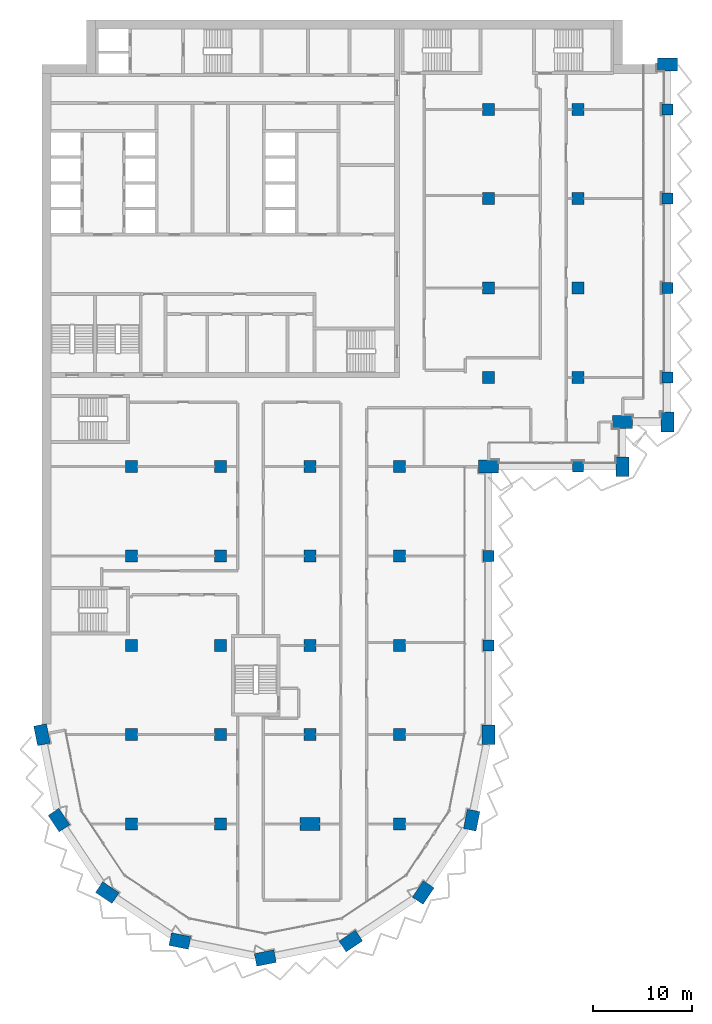
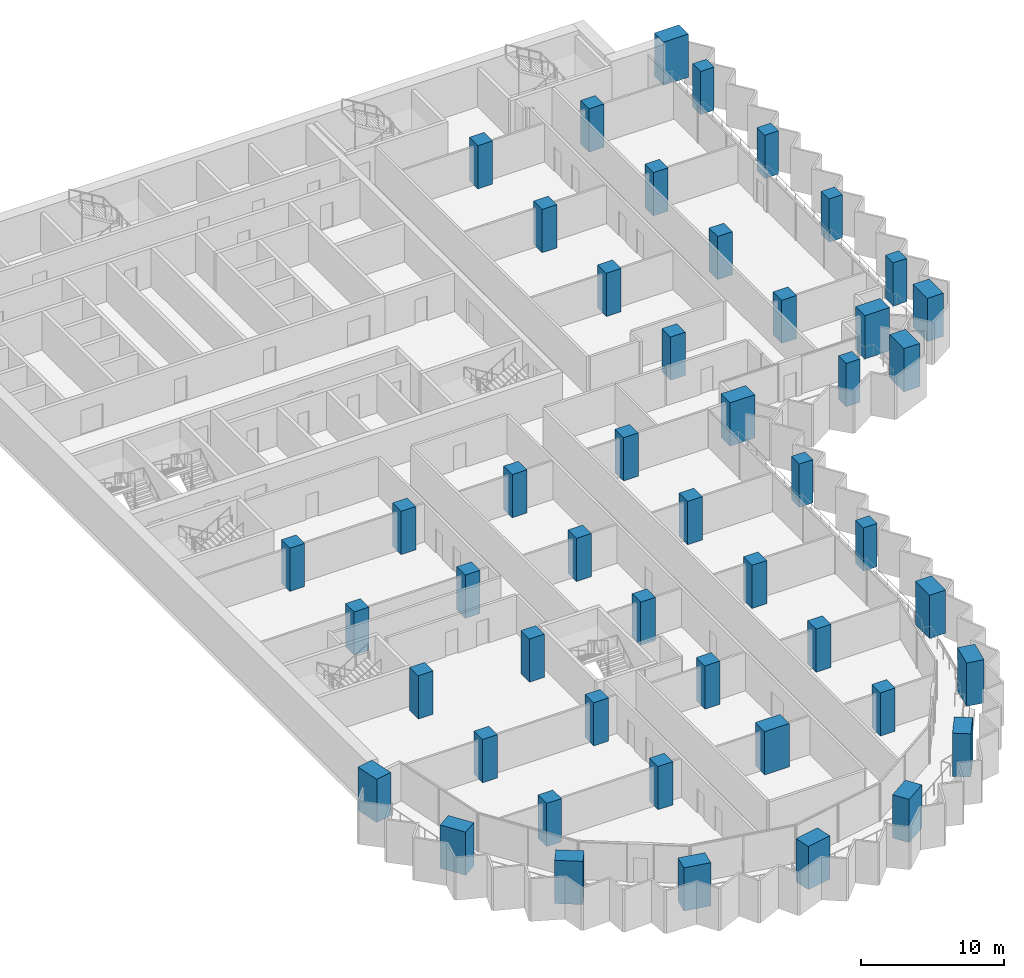
# One storey, part 1 of 23: 49 columns.
"""IFC4 building model written with IfcOpenShell, lengths in metres."""

from ifc_helpers import new_model, si_unit, direction, frame, origin, origin_2d, place, context, subcontext, project, spatial, rectangle, extrude, material, material_profile, profile_set, type_object, element, save


model = new_model("IFC4")

# Units and contexts
model_context = context("Model", 3, precision=1e-05, world=origin(), true_north=direction((0.0, 1.0)))
body_context = subcontext(model_context, "Body", "Model", "MODEL_VIEW")
ifc_project = project(units=[si_unit("LENGTHUNIT", "METRE"), si_unit("AREAUNIT", "SQUARE_METRE"), si_unit("VOLUMEUNIT", "CUBIC_METRE"), si_unit("PLANEANGLEUNIT", "RADIAN"), si_unit("MASSUNIT", "GRAM", prefix="KILO")], contexts=[model_context])

# Site, building, storey
site_placement = place(None, origin())
site = spatial("IfcSite", under=ifc_project, at=site_placement, CompositionType="ELEMENT")
building_placement = place(site_placement, origin())
building = spatial("IfcBuilding", under=site, at=building_placement, Name="Hunhe Ridgeline Campus", CompositionType="ELEMENT")
storey_placement = place(building_placement, frame((0.0, 0.0, 144.89990234375)))
storey = spatial("IfcBuildingStorey", under=building, at=storey_placement, Name="L36", CompositionType="ELEMENT", Elevation=144.89990234375)

# Columns
ifc_material = material(Name="Concrete C70", Category="concrete")
ifc_material_profile_1 = material_profile(ifc_material, rectangle(XDim=2.0, YDim=1.300048828125, at=origin_2d()))
ifc_profile_set_1 = profile_set([ifc_material_profile_1], Name="Concrete C70")
column_type_1 = type_object("IfcColumnType", Name="Megacolumn 2000x1300 Concrete C70", PredefinedType="COLUMN", material=ifc_profile_set_1)
for number, where, z_axis, x_axis, name in (
    (1, (22.5, 4.5, 0.0), (0.0, 0.0, 1.0), (0.980785280403, 0.195090322016, 0.0), "Column C9 R1 L36"),
    (2, (13.8896484375, 6.212646484375, 0.0), (0.0, 0.0, 1.0), (-0.980785280403, 0.195090322016, 0.0), "Column C9 R2 L36"),
    (3, (31.1103515625, 6.212646484375, 0.0), (0.0, 0.0, 1.0), (0.831469612303, 0.55557023302, 0.0), "Column C9 R3 L36"),
    (4, (6.590087890625, 11.090087890625, 0.0), (0.0, 0.0, 1.0), (-0.831469612303, 0.55557023302, 0.0), "Column C9 R4 L36"),
    (5, (38.409912109375, 11.090087890625, 0.0), (0.0, 0.0, 1.0), (0.55557023302, 0.831469612303, 0.0), "Column C9 R5 L36"),
    (6, (1.712646484375, 18.3896484375, 0.0), (0.0, 0.0, 1.0), (-0.55557023302, 0.831469612303, 0.0), "Column C9 R9 L36"),
    (7, (43.287353515625, 18.3896484375, 0.0), (0.0, 0.0, 1.0), (0.195090322016, 0.980785280403, 0.0), "Column C9 R10 L36"),
    (8, (0.0, 27.0, 0.0), (0.0, 0.0, 1.0), (-0.195090322016, 0.980785280403, 0.0), "Column C9 D1 L36"),
    (9, (45.0, 27.0, 0.0), (0.0, 0.0, 1.0), (0.0, 1.0, 0.0), "Column C9 D6 L36"),
    (10, (45.0, 54.0, 0.0), (0.0, 0.0, 1.0), (1.0, 0.0, 0.0), "Column C9 G6 L36"),
    (11, (58.5, 54.0, 0.0), (0.0, 0.0, 1.0), (0.0, 1.0, 0.0), "Column C9 R30 L36"),
    (12, (58.5, 58.5, 0.0), (0.0, 0.0, 1.0), (1.0, 0.0, 0.0), "Column C9 R35 L36"),
    (13, (63.0, 58.5, 0.0), (0.0, 0.0, 1.0), (0.0, 1.0, 0.0), "Column C9 R36 L36"),
    (14, (63.0, 94.5, 0.0), (0.0, 0.0, 1.0), (1.0, 0.0, 0.0), "Column C9 R42 L36"),
    (15, (27.0, 18.0, 0.0), (0.0, 0.0, 1.0), (1.0, 0.0, 0.0), "Column C9 C4 L36"),
):
    element("IfcColumn", number, at=place(storey_placement, frame(where, z_axis=z_axis, x_axis=x_axis)), inside=storey, type_object=column_type_1, Name=name, PredefinedType="COLUMN", context=body_context, shape_type="SweptSolid", body=[
        extrude(rectangle(XDim=2.0, YDim=1.300048828125, at=origin_2d()), origin(), (0.0, 0.0, 1.0), 3.7001953125),
    ])
ifc_material_profile_2 = material_profile(ifc_material, rectangle(XDim=1.10009765625, YDim=1.10009765625, at=origin_2d()))
ifc_profile_set_2 = profile_set([ifc_material_profile_2], Name="Concrete C70")
column_type_2 = type_object("IfcColumnType", Name="RC column 1100x1100 Concrete C70", PredefinedType="COLUMN", material=ifc_profile_set_2)
for number, where, z_axis, x_axis, name in (
    (16, (45.0, 36.0, 0.0), (0.0, 0.0, 1.0), (1.0, 0.0, 0.0), "Column C10 E6 L36"),
    (17, (45.0, 45.0, 0.0), (0.0, 0.0, 1.0), (1.0, 0.0, 0.0), "Column C10 F6 L36"),
    (18, (54.0, 54.0, 0.0), (0.0, 0.0, 1.0), (1.0, 0.0, 0.0), "Column C10 G7 L36"),
    (19, (63.0, 63.0, 0.0), (0.0, 0.0, 1.0), (1.0, 0.0, 0.0), "Column C10 H8 L36"),
    (20, (63.0, 72.0, 0.0), (0.0, 0.0, 1.0), (1.0, 0.0, 0.0), "Column C10 I8 L36"),
    (21, (63.0, 81.0, 0.0), (0.0, 0.0, 1.0), (1.0, 0.0, 0.0), "Column C10 J8 L36"),
    (22, (63.0, 90.0, 0.0), (0.0, 0.0, 1.0), (1.0, 0.0, 0.0), "Column C10 K8 L36"),
):
    element("IfcColumn", number, at=place(storey_placement, frame(where, z_axis=z_axis, x_axis=x_axis)), inside=storey, type_object=column_type_2, Name=name, PredefinedType="COLUMN", context=body_context, shape_type="SweptSolid", body=[
        extrude(rectangle(XDim=1.10009765625, YDim=1.10009765625, at=origin_2d()), origin(), (0.0, 0.0, 1.0), 3.7001953125),
    ])
ifc_material_profile_3 = material_profile(ifc_material, rectangle(XDim=1.199951171875, YDim=1.199951171875, at=origin_2d()))
ifc_profile_set_3 = profile_set([ifc_material_profile_3], Name="Concrete C70")
column_type_3 = type_object("IfcColumnType", Name="RC column 1200x1200 Concrete C70", PredefinedType="COLUMN", material=ifc_profile_set_3)
for number, where, z_axis, x_axis, name in (
    (23, (9.0, 18.0, 0.0), (0.0, 0.0, 1.0), (1.0, 0.0, 0.0), "Column C7 C2 L36"),
    (24, (9.0, 27.0, 0.0), (0.0, 0.0, 1.0), (1.0, 0.0, 0.0), "Column C7 D2 L36"),
    (25, (9.0, 36.0, 0.0), (0.0, 0.0, 1.0), (1.0, 0.0, 0.0), "Column C7 E2 L36"),
    (26, (9.0, 45.0, 0.0), (0.0, 0.0, 1.0), (1.0, 0.0, 0.0), "Column C7 F2 L36"),
    (27, (9.0, 54.0, 0.0), (0.0, 0.0, 1.0), (1.0, 0.0, 0.0), "Column C7 G2 L36"),
    (28, (18.0, 18.0, 0.0), (0.0, 0.0, 1.0), (1.0, 0.0, 0.0), "Column C7 C3 L36"),
    (29, (18.0, 27.0, 0.0), (0.0, 0.0, 1.0), (1.0, 0.0, 0.0), "Column C7 D3 L36"),
    (30, (18.0, 36.0, 0.0), (0.0, 0.0, 1.0), (1.0, 0.0, 0.0), "Column C7 E3 L36"),
    (31, (18.0, 45.0, 0.0), (0.0, 0.0, 1.0), (1.0, 0.0, 0.0), "Column C7 F3 L36"),
    (32, (18.0, 54.0, 0.0), (0.0, 0.0, 1.0), (1.0, 0.0, 0.0), "Column C7 G3 L36"),
    (33, (27.0, 27.0, 0.0), (0.0, 0.0, 1.0), (1.0, 0.0, 0.0), "Column C7 D4 L36"),
    (34, (27.0, 36.0, 0.0), (0.0, 0.0, 1.0), (1.0, 0.0, 0.0), "Column C7 E4 L36"),
    (35, (27.0, 45.0, 0.0), (0.0, 0.0, 1.0), (1.0, 0.0, 0.0), "Column C7 F4 L36"),
    (36, (27.0, 54.0, 0.0), (0.0, 0.0, 1.0), (1.0, 0.0, 0.0), "Column C7 G4 L36"),
    (37, (36.0, 18.0, 0.0), (0.0, 0.0, 1.0), (1.0, 0.0, 0.0), "Column C7 C5 L36"),
    (38, (36.0, 27.0, 0.0), (0.0, 0.0, 1.0), (1.0, 0.0, 0.0), "Column C7 D5 L36"),
    (39, (36.0, 36.0, 0.0), (0.0, 0.0, 1.0), (1.0, 0.0, 0.0), "Column C7 E5 L36"),
    (40, (36.0, 45.0, 0.0), (0.0, 0.0, 1.0), (1.0, 0.0, 0.0), "Column C7 F5 L36"),
    (41, (36.0, 54.0, 0.0), (0.0, 0.0, 1.0), (1.0, 0.0, 0.0), "Column C7 G5 L36"),
    (42, (45.0, 63.0, 0.0), (0.0, 0.0, 1.0), (1.0, 0.0, 0.0), "Column C7 H6 L36"),
    (43, (45.0, 72.0, 0.0), (0.0, 0.0, 1.0), (1.0, 0.0, 0.0), "Column C7 I6 L36"),
    (44, (45.0, 81.0, 0.0), (0.0, 0.0, 1.0), (1.0, 0.0, 0.0), "Column C7 J6 L36"),
    (45, (45.0, 90.0, 0.0), (0.0, 0.0, 1.0), (1.0, 0.0, 0.0), "Column C7 K6 L36"),
    (46, (54.0, 63.0, 0.0), (0.0, 0.0, 1.0), (1.0, 0.0, 0.0), "Column C7 H7 L36"),
    (47, (54.0, 72.0, 0.0), (0.0, 0.0, 1.0), (1.0, 0.0, 0.0), "Column C7 I7 L36"),
    (48, (54.0, 81.0, 0.0), (0.0, 0.0, 1.0), (1.0, 0.0, 0.0), "Column C7 J7 L36"),
    (49, (54.0, 90.0, 0.0), (0.0, 0.0, 1.0), (1.0, 0.0, 0.0), "Column C7 K7 L36"),
):
    element("IfcColumn", number, at=place(storey_placement, frame(where, z_axis=z_axis, x_axis=x_axis)), inside=storey, type_object=column_type_3, Name=name, PredefinedType="COLUMN", context=body_context, shape_type="SweptSolid", body=[
        extrude(rectangle(XDim=1.199951171875, YDim=1.199951171875, at=origin_2d()), origin(), (0.0, 0.0, 1.0), 3.7001953125),
    ])

save(model, "model.ifc")
